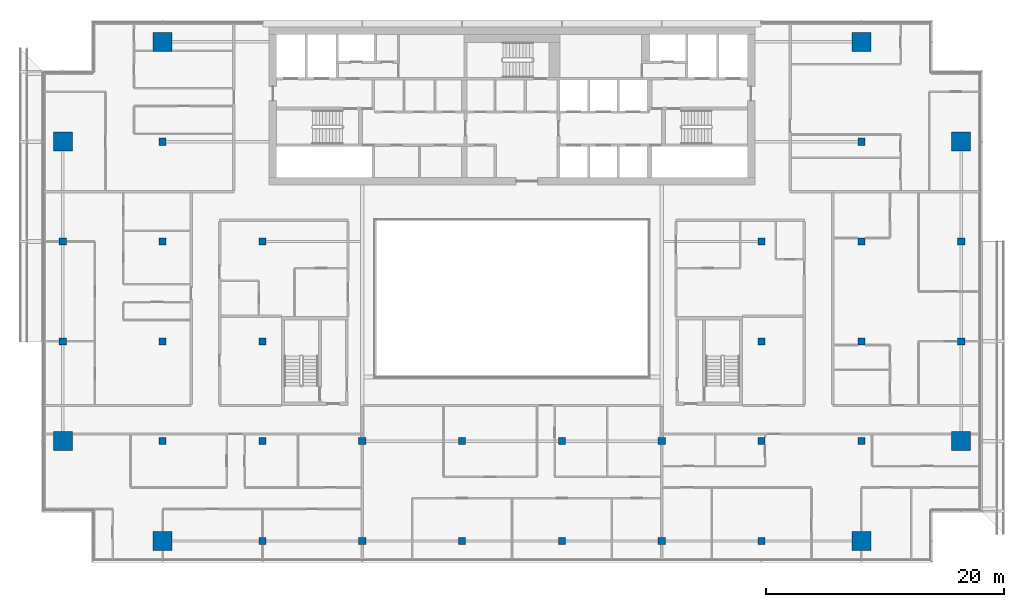
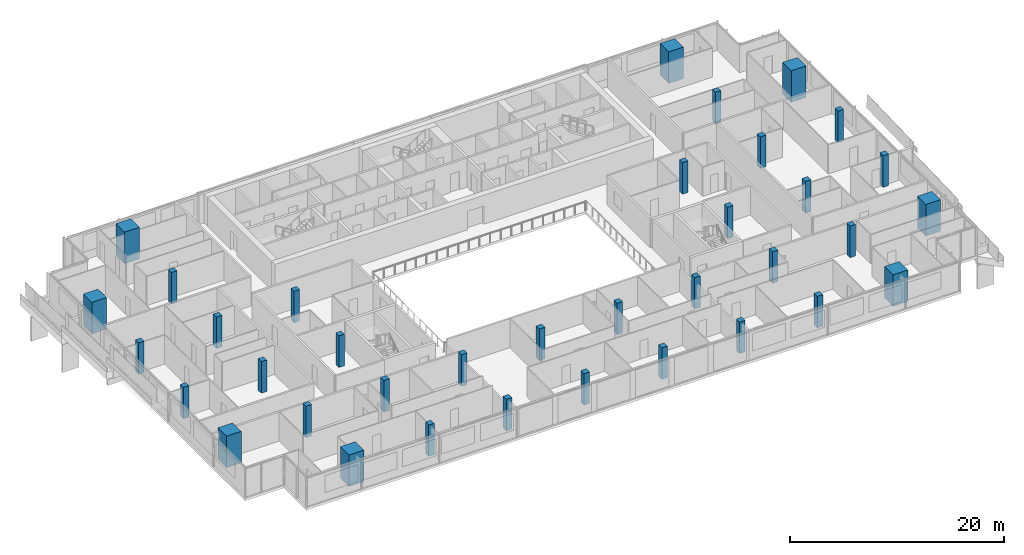
# One storey, part 1 of 28: 36 columns.
"""IFC4 building model written with IfcOpenShell, lengths in metres."""

from ifc_helpers import new_model, si_unit, direction, frame, origin, origin_2d, place, context, subcontext, project, spatial, rectangle, extrude, material, material_profile, profile_set, type_object, element, save


model = new_model("IFC4")

# Units and contexts
model_context = context("Model", 3, precision=1e-05, world=origin(), true_north=direction((0.0, 1.0)))
body_context = subcontext(model_context, "Body", "Model", "MODEL_VIEW")
ifc_project = project(units=[si_unit("LENGTHUNIT", "METRE"), si_unit("AREAUNIT", "SQUARE_METRE"), si_unit("VOLUMEUNIT", "CUBIC_METRE"), si_unit("PLANEANGLEUNIT", "RADIAN"), si_unit("MASSUNIT", "GRAM", prefix="KILO")], contexts=[model_context])

# Site, building, storey
site_placement = place(None, origin())
site = spatial("IfcSite", under=ifc_project, at=site_placement, CompositionType="ELEMENT")
building_placement = place(site_placement, origin())
building = spatial("IfcBuilding", under=site, at=building_placement, Name="Saffron Gate Tower", CompositionType="ELEMENT")
storey_placement = place(building_placement, frame((0.0, 0.0, 241.5)))
storey = spatial("IfcBuildingStorey", under=building, at=storey_placement, Name="L59", CompositionType="ELEMENT", Elevation=241.5)

# Columns
ifc_material_1 = material(Name="Concrete C50", Category="concrete")
ifc_material_profile_1 = material_profile(ifc_material_1, rectangle(XDim=0.60009765625, YDim=0.60009765625, at=origin_2d()))
ifc_profile_set_1 = profile_set([ifc_material_profile_1], Name="Concrete C50")
column_type_1 = type_object("IfcColumnType", Name="C2 RC 600x600 CONCRETE C50", PredefinedType="COLUMN", material=ifc_profile_set_1)
for number, where, z_axis, x_axis, name in (
    (1, (49.800048828125, 48.60009765625, 0.0), (0.0, 0.0, 1.0), (1.0, 0.0, 0.0), "C2 COLUMN X1-C"),
    (2, (49.800048828125, 57.0, 0.0), (0.0, 0.0, 1.0), (1.0, 0.0, 0.0), "C2 COLUMN X1-D"),
    (3, (58.199951171875, 40.199951171875, 0.0), (0.0, 0.0, 1.0), (1.0, 0.0, 0.0), "C2 COLUMN X2-B"),
    (4, (58.199951171875, 48.60009765625, 0.0), (0.0, 0.0, 1.0), (1.0, 0.0, 0.0), "C2 COLUMN X2-C"),
    (5, (58.199951171875, 57.0, 0.0), (0.0, 0.0, 1.0), (1.0, 0.0, 0.0), "C2 COLUMN X2-D"),
    (6, (58.199951171875, 65.39990234375, 0.0), (0.0, 0.0, 1.0), (1.0, 0.0, 0.0), "C2 COLUMN X2-E"),
    (7, (66.60009765625, 31.800048828125, 0.0), (0.0, 0.0, 1.0), (1.0, 0.0, 0.0), "C2 COLUMN X3-A"),
    (8, (66.60009765625, 40.199951171875, 0.0), (0.0, 0.0, 1.0), (1.0, 0.0, 0.0), "C2 COLUMN X3-B"),
    (9, (66.60009765625, 48.60009765625, 0.0), (0.0, 0.0, 1.0), (1.0, 0.0, 0.0), "C2 COLUMN X3-C"),
    (10, (66.60009765625, 57.0, 0.0), (0.0, 0.0, 1.0), (1.0, 0.0, 0.0), "C2 COLUMN X3-D"),
    (11, (75.0, 31.800048828125, 0.0), (0.0, 0.0, 1.0), (1.0, 0.0, 0.0), "C2 COLUMN X4-A"),
    (12, (75.0, 40.199951171875, 0.0), (0.0, 0.0, 1.0), (1.0, 0.0, 0.0), "C2 COLUMN X4-B"),
    (13, (83.39990234375, 31.800048828125, 0.0), (0.0, 0.0, 1.0), (1.0, 0.0, 0.0), "C2 COLUMN X5-A"),
    (14, (83.39990234375, 40.199951171875, 0.0), (0.0, 0.0, 1.0), (1.0, 0.0, 0.0), "C2 COLUMN X5-B"),
    (15, (91.800048828125, 31.800048828125, 0.0), (0.0, 0.0, 1.0), (1.0, 0.0, 0.0), "C2 COLUMN X6-A"),
    (16, (91.800048828125, 40.199951171875, 0.0), (0.0, 0.0, 1.0), (1.0, 0.0, 0.0), "C2 COLUMN X6-B"),
    (17, (100.199951171875, 31.800048828125, 0.0), (0.0, 0.0, 1.0), (1.0, 0.0, 0.0), "C2 COLUMN X7-A"),
    (18, (100.199951171875, 40.199951171875, 0.0), (0.0, 0.0, 1.0), (1.0, 0.0, 0.0), "C2 COLUMN X7-B"),
    (19, (108.60009765625, 31.800048828125, 0.0), (0.0, 0.0, 1.0), (1.0, 0.0, 0.0), "C2 COLUMN X8-A"),
    (20, (108.60009765625, 40.199951171875, 0.0), (0.0, 0.0, 1.0), (1.0, 0.0, 0.0), "C2 COLUMN X8-B"),
    (21, (108.60009765625, 48.60009765625, 0.0), (0.0, 0.0, 1.0), (1.0, 0.0, 0.0), "C2 COLUMN X8-C"),
    (22, (108.60009765625, 57.0, 0.0), (0.0, 0.0, 1.0), (1.0, 0.0, 0.0), "C2 COLUMN X8-D"),
    (23, (117.0, 40.199951171875, 0.0), (0.0, 0.0, 1.0), (1.0, 0.0, 0.0), "C2 COLUMN X9-B"),
    (24, (117.0, 48.60009765625, 0.0), (0.0, 0.0, 1.0), (1.0, 0.0, 0.0), "C2 COLUMN X9-C"),
    (25, (117.0, 57.0, 0.0), (0.0, 0.0, 1.0), (1.0, 0.0, 0.0), "C2 COLUMN X9-D"),
    (26, (117.0, 65.39990234375, 0.0), (0.0, 0.0, 1.0), (1.0, 0.0, 0.0), "C2 COLUMN X9-E"),
    (27, (125.39990234375, 48.60009765625, 0.0), (0.0, 0.0, 1.0), (1.0, 0.0, 0.0), "C2 COLUMN X10-C"),
    (28, (125.39990234375, 57.0, 0.0), (0.0, 0.0, 1.0), (1.0, 0.0, 0.0), "C2 COLUMN X10-D"),
):
    element("IfcColumn", number, at=place(storey_placement, frame(where, z_axis=z_axis, x_axis=x_axis)), inside=storey, type_object=column_type_1, Name=name, PredefinedType="COLUMN", context=body_context, shape_type="SweptSolid", body=[
        extrude(rectangle(XDim=0.60009765625, YDim=0.60009765625, at=origin_2d()), origin(), (0.0, 0.0, 1.0), 3.60009765625),
    ])
ifc_material_2 = material(Name="Concrete C70", Category="concrete")
ifc_material_profile_2 = material_profile(ifc_material_2, rectangle(XDim=1.60009765625, YDim=1.60009765625, at=origin_2d()))
ifc_profile_set_2 = profile_set([ifc_material_profile_2], Name="Concrete C70")
column_type_2 = type_object("IfcColumnType", Name="MC1 RC 1600x1600 CONCRETE C70", PredefinedType="COLUMN", material=ifc_profile_set_2)
for number, where, z_axis, x_axis, name in (
    (29, (49.800048828125, 40.199951171875, 0.0), (0.0, 0.0, 1.0), (1.0, 0.0, 0.0), "MC1 MEGA COLUMN X1-B"),
    (30, (49.800048828125, 65.39990234375, 0.0), (0.0, 0.0, 1.0), (1.0, 0.0, 0.0), "MC1 MEGA COLUMN X1-E"),
    (31, (58.199951171875, 31.800048828125, 0.0), (0.0, 0.0, 1.0), (1.0, 0.0, 0.0), "MC1 MEGA COLUMN X2-A"),
    (32, (58.199951171875, 73.800048828125, 0.0), (0.0, 0.0, 1.0), (1.0, 0.0, 0.0), "MC1 MEGA COLUMN X2-F"),
    (33, (117.0, 31.800048828125, 0.0), (0.0, 0.0, 1.0), (1.0, 0.0, 0.0), "MC1 MEGA COLUMN X9-A"),
    (34, (117.0, 73.800048828125, 0.0), (0.0, 0.0, 1.0), (1.0, 0.0, 0.0), "MC1 MEGA COLUMN X9-F"),
    (35, (125.39990234375, 40.199951171875, 0.0), (0.0, 0.0, 1.0), (1.0, 0.0, 0.0), "MC1 MEGA COLUMN X10-B"),
    (36, (125.39990234375, 65.39990234375, 0.0), (0.0, 0.0, 1.0), (1.0, 0.0, 0.0), "MC1 MEGA COLUMN X10-E"),
):
    element("IfcColumn", number, at=place(storey_placement, frame(where, z_axis=z_axis, x_axis=x_axis)), inside=storey, type_object=column_type_2, Name=name, PredefinedType="COLUMN", context=body_context, shape_type="SweptSolid", body=[
        extrude(rectangle(XDim=1.60009765625, YDim=1.60009765625, at=origin_2d()), origin(), (0.0, 0.0, 1.0), 3.60009765625),
    ])

save(model, "model.ifc")
